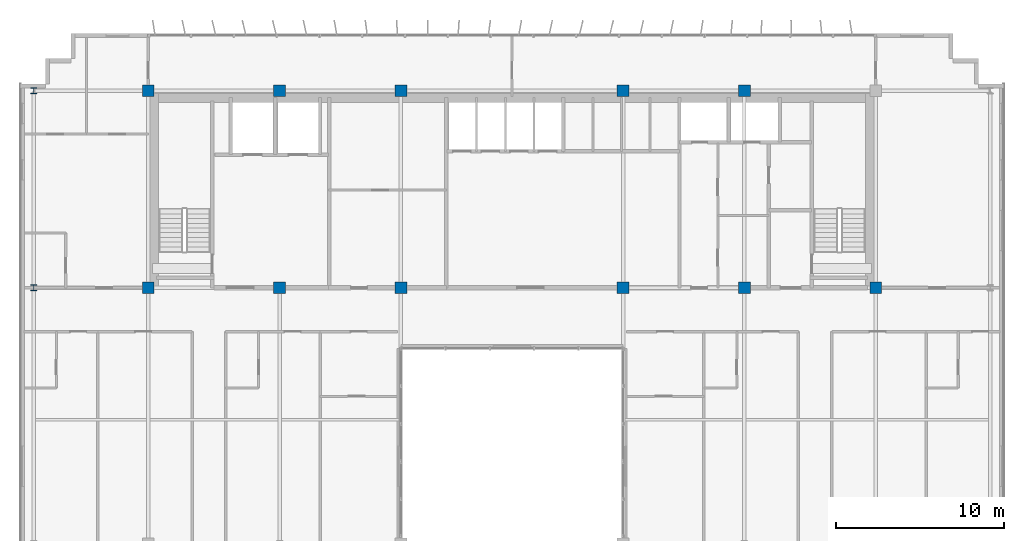
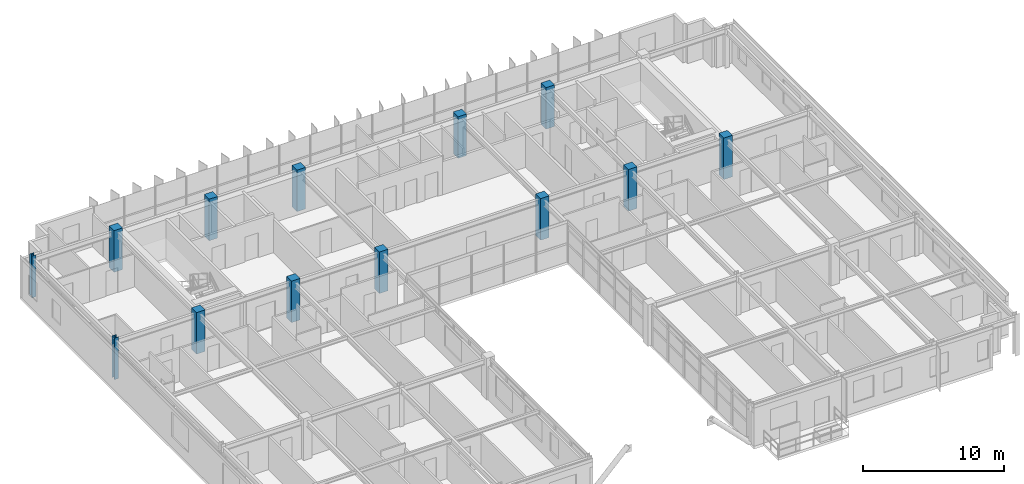
# One storey, part 3 of 34: 13 columns.
"""IFC4 building model written with IfcOpenShell, lengths in metres."""

from ifc_helpers import new_model, si_unit, direction, frame, origin, origin_2d, place, context, subcontext, project, spatial, rectangle, i_section, extrude, source, transform, mapped, material, material_profile, profile_set, type_object, element, save


model = new_model("IFC4")

# Units and contexts
model_context = context("Model", 3, precision=1e-05, world=origin(), true_north=direction((0.0, 1.0)))
body_context = subcontext(model_context, "Body", "Model", "MODEL_VIEW")
ifc_project = project(units=[si_unit("LENGTHUNIT", "METRE"), si_unit("AREAUNIT", "SQUARE_METRE"), si_unit("VOLUMEUNIT", "CUBIC_METRE"), si_unit("PLANEANGLEUNIT", "RADIAN"), si_unit("MASSUNIT", "GRAM", prefix="KILO")], contexts=[model_context])

# Site, building, storey
site_placement = place(None, origin())
site = spatial("IfcSite", under=ifc_project, at=site_placement, CompositionType="ELEMENT")
building_placement = place(site_placement, origin())
building = spatial("IfcBuilding", under=site, at=building_placement, Name="Trelvane Seafront Commons", CompositionType="ELEMENT")
storey_placement = place(building_placement, frame((0.0, 0.0, 197.699951171875)))
storey = spatial("IfcBuildingStorey", under=building, at=storey_placement, Name="L51", CompositionType="ELEMENT", Elevation=197.699951171875)

# Columns
ifc_material_1 = material(Name="Concrete C50/60", Category="concrete")
ifc_material_profile_1 = material_profile(ifc_material_1, rectangle(XDim=0.699951171875, YDim=0.699951171875, at=origin_2d()), Name="RC-700x700")
ifc_profile_set_1 = profile_set([ifc_material_profile_1], Name="Concrete C50/60")
column_type_1 = type_object("IfcColumnType", Name="STR-COL-RC700", PredefinedType="COLUMN", material=ifc_profile_set_1)
shared_shape_1 = source(origin(), body_context, "Body", "SweptSolid", [
    extrude(rectangle(XDim=0.699951171875, YDim=0.699951171875, at=origin_2d()), origin(), (0.0, 0.0, 1.0), 3.60009765625),
])
for number, where, z_axis, x_axis, name in (
    (1, (15.60009765625, 33.39990234375, 0.0), (0.0, 0.0, 1.0), (1.0, 0.0, 0.0), "L51 Column TC-CS15.6"),
    (2, (15.60009765625, 45.10009765625, 0.0), (0.0, 0.0, 1.0), (1.0, 0.0, 0.0), "L51 Column TC-CN15.6"),
    (3, (23.39990234375, 33.39990234375, 0.0), (0.0, 0.0, 1.0), (1.0, 0.0, 0.0), "L51 Column TC-CS23.4"),
    (4, (23.39990234375, 45.10009765625, 0.0), (0.0, 0.0, 1.0), (1.0, 0.0, 0.0), "L51 Column TC-CN23.4"),
    (5, (30.60009765625, 33.39990234375, 0.0), (0.0, 0.0, 1.0), (1.0, 0.0, 0.0), "L51 Column TC-CS30.6"),
    (6, (30.60009765625, 45.10009765625, 0.0), (0.0, 0.0, 1.0), (1.0, 0.0, 0.0), "L51 Column TC-CN30.6"),
    (7, (43.800048828125, 33.39990234375, 0.0), (0.0, 0.0, 1.0), (1.0, 0.0, 0.0), "L51 Column TC-CS43.8"),
    (8, (43.800048828125, 45.10009765625, 0.0), (0.0, 0.0, 1.0), (1.0, 0.0, 0.0), "L51 Column TC-CN43.8"),
    (9, (51.0, 33.39990234375, 0.0), (0.0, 0.0, 1.0), (1.0, 0.0, 0.0), "L51 Column TC-CS51.0"),
    (10, (51.0, 45.10009765625, 0.0), (0.0, 0.0, 1.0), (1.0, 0.0, 0.0), "L51 Column TC-CN51.0"),
    (11, (58.800048828125, 33.39990234375, 0.0), (0.0, 0.0, 1.0), (1.0, 0.0, 0.0), "L51 Column TC-CS58.8"),
):
    element("IfcColumn", number, at=place(storey_placement, frame(where, z_axis=z_axis, x_axis=x_axis)), inside=storey, type_object=column_type_1, Name=name, PredefinedType="COLUMN", context=body_context, shape_type="MappedRepresentation", body=[
        mapped(shared_shape_1, transform((0.0, 0.0, 0.0), x_axis=(1.0, 0.0, 0.0), y_axis=(0.0, 1.0, 0.0), z_axis=(0.0, 0.0, 1.0), scale=1.0)),
    ])
ifc_material_2 = material(Name="Steel SM355 (S355)", Category="steel")
ifc_material_profile_2 = material_profile(ifc_material_2, i_section(OverallWidth=0.35009765625, OverallDepth=0.35009765625, WebThickness=0.01806640625, FlangeThickness=0.028076171875, at=origin_2d()), Name="HD-350x350x18x28")
ifc_profile_set_2 = profile_set([ifc_material_profile_2], Name="Steel SM355 (S355)")
column_type_2 = type_object("IfcColumnType", Name="STR-COL-HD350", PredefinedType="COLUMN", material=ifc_profile_set_2)
shared_shape_2 = source(origin(), body_context, "Body", "SweptSolid", [
    extrude(i_section(OverallWidth=0.35009765625, OverallDepth=0.35009765625, WebThickness=0.01806640625, FlangeThickness=0.028076171875, at=origin_2d()), origin(), (0.0, 0.0, 1.0), 3.60009765625),
])
for number, where, z_axis, x_axis, name in (
    (12, (8.800048828125, 33.39990234375, 0.0), (0.0, 0.0, 1.0), (1.0, 0.0, 0.0), "L51 Column TC-CS8.8"),
    (13, (8.800048828125, 45.10009765625, 0.0), (0.0, 0.0, 1.0), (1.0, 0.0, 0.0), "L51 Column TC-CN8.8"),
):
    element("IfcColumn", number, at=place(storey_placement, frame(where, z_axis=z_axis, x_axis=x_axis)), inside=storey, type_object=column_type_2, Name=name, PredefinedType="COLUMN", context=body_context, shape_type="MappedRepresentation", body=[
        mapped(shared_shape_2, transform((0.0, 0.0, 0.0), x_axis=(1.0, 0.0, 0.0), y_axis=(0.0, 1.0, 0.0), z_axis=(0.0, 0.0, 1.0), scale=1.0)),
    ])

save(model, "model.ifc")
